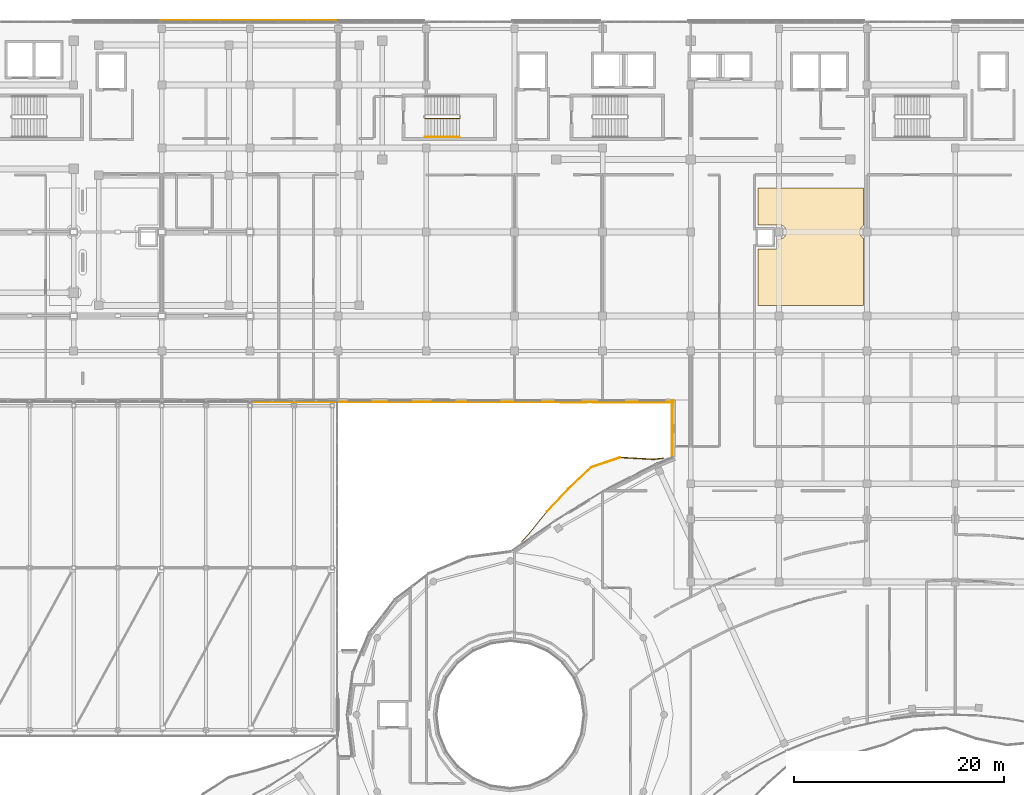
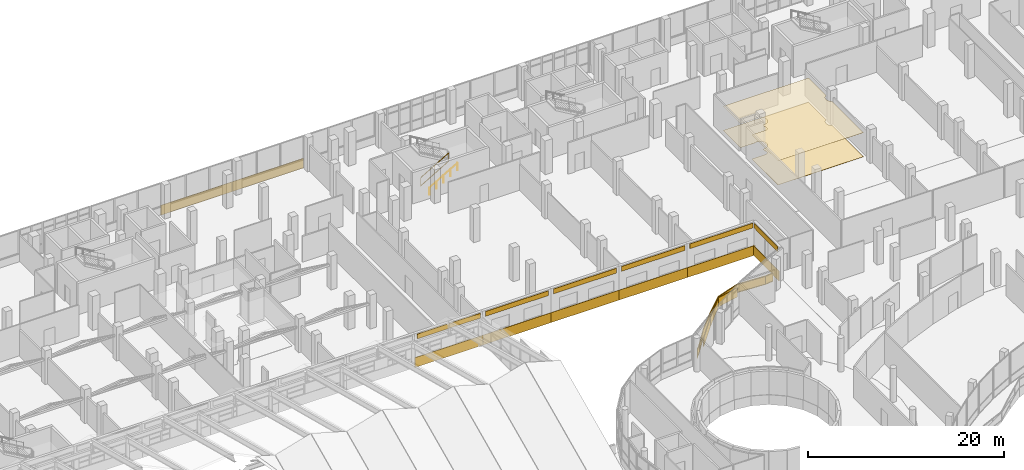
# One storey, part 181 of 184: 13 coverings, 6 shading devices, 4 railings.
"""IFC4 building model written with IfcOpenShell, lengths in metres."""

import ifcopenshell
import ifcopenshell.guid

model = None  # the IFC model being written
_history = None  # IfcOwnerHistory: only IFC2X3 demands one
_inside = {}  # id of a spatial element -> (the spatial element, [elements in it])
_under = {}  # id of a project, library or spatial element -> (it, [spatial elements below it])
_declared = {}  # id of a project -> (the project, [libraries it declares])
_typed = {}  # id of a type object -> (the type object, [elements of that type])
_made_of = {}  # id of a material, layer set ... -> (it, [elements and type objects made of it])


def new_model(schema):
    """Start an empty IFC model of exactly this schema.

    Asked for "IFC4X3", IfcOpenShell would pick the latest addendum, in which some entities
    have other attributes; the version numbers below select the first issue.
    IFC2X3 requires an IfcOwnerHistory on every rooted entity: one is made here for all.
    """
    global model, _history
    if schema == "IFC4X3":
        model = ifcopenshell.file(schema_version=(4, 3, 0, 0))
    else:
        model = ifcopenshell.file(schema=schema)
    _inside.clear()
    _under.clear()
    _declared.clear()
    _typed.clear()
    _made_of.clear()
    _history = None
    if model.schema == "IFC2X3":
        org = make("IfcOrganization", Name="unknown")
        user = make(
            "IfcPersonAndOrganization",
            ThePerson=make("IfcPerson", FamilyName="unknown"),
            TheOrganization=org,
        )
        app = make(
            "IfcApplication",
            ApplicationDeveloper=org,
            Version="unknown",
            ApplicationFullName="unknown",
            ApplicationIdentifier="unknown",
        )
        _history = make(
            "IfcOwnerHistory",
            OwningUser=user,
            OwningApplication=app,
            ChangeAction="ADDED",
            CreationDate=0,
        )
    return model


def make(cls, **values):
    """One entity of the class cls with the attributes given. An attribute that is None is left unset."""
    return model.create_entity(
        cls, **{name: value for name, value in values.items() if value is not None}
    )


def rooted(cls, **values):
    """An entity with a GlobalId (a new one), such as an element, a storey or a relation."""
    return make(cls, GlobalId=ifcopenshell.guid.new(), OwnerHistory=_history, **values)


def si_unit(unit_type, name, prefix=None):
    """IfcSIUnit, for example si_unit("LENGTHUNIT", "METRE", prefix="MILLI")."""
    return make("IfcSIUnit", UnitType=unit_type, Prefix=prefix, Name=name)


def assignment(units):
    """IfcUnitAssignment: the units of a project."""
    return None if units is None else make("IfcUnitAssignment", Units=units)


def point(xyz):
    """IfcCartesianPoint."""
    return None if xyz is None else make("IfcCartesianPoint", Coordinates=xyz)


def direction(xyz):
    """IfcDirection."""
    return None if xyz is None else make("IfcDirection", DirectionRatios=xyz)


def frame(location, z_axis=None, x_axis=None):
    """IfcAxis2Placement3D, a coordinate frame: its origin and axes. An axis left out is left unset."""
    return make(
        "IfcAxis2Placement3D",
        Location=point(location),
        Axis=direction(z_axis),
        RefDirection=direction(x_axis),
    )


def frame_2d(location, x_axis=None):
    """IfcAxis2Placement2D, a coordinate frame in the plane: its origin and x axis."""
    return make(
        "IfcAxis2Placement2D", Location=point(location), RefDirection=direction(x_axis)
    )


def origin():
    """The frame at (0, 0, 0) with its axes left unset."""
    return frame((0.0, 0.0, 0.0))


def origin_2d():
    """The frame at (0, 0) in the plane with its x axis left unset."""
    return frame_2d((0.0, 0.0))


def place(relative_to, where):
    """IfcLocalPlacement: puts the frame where relative to a parent placement (None: the world)."""
    return make(
        "IfcLocalPlacement", PlacementRelTo=relative_to, RelativePlacement=where
    )


def context(
    kind, dimensions, precision=None, world=None, true_north=None, identifier=None
):
    """IfcGeometricRepresentationContext, for example the 3D "Model" context."""
    return make(
        "IfcGeometricRepresentationContext",
        ContextIdentifier=identifier,
        ContextType=kind,
        CoordinateSpaceDimension=dimensions,
        Precision=precision,
        WorldCoordinateSystem=world,
        TrueNorth=true_north,
    )


def subcontext(parent, identifier, kind, view, scale=None):
    """IfcGeometricRepresentationSubContext, for example "Body" below "Model"."""
    return make(
        "IfcGeometricRepresentationSubContext",
        ContextIdentifier=identifier,
        ContextType=kind,
        ParentContext=parent,
        TargetScale=scale,
        TargetView=view,
    )


def project(units=None, contexts=None):
    """IfcProject with its units and contexts."""
    return rooted(
        "IfcProject",
        Name="project",
        RepresentationContexts=contexts,
        UnitsInContext=assignment(units),
    )


def spatial(cls, under=None, at=None, **own):
    """A site, building, storey or space (cls), placed at a placement, below another one or the project."""
    s = rooted(cls, ObjectPlacement=at, **own)
    if under is not None:
        _under.setdefault(under.id(), (under, []))[1].append(s)
    return s


def polyline(points):
    """IfcPolyline through the points."""
    return make("IfcPolyline", Points=[point(p) for p in points])


def profile(cls, at=None, kind="AREA", **sizes):
    """A parametric profile (cls). Its sizes go by their IFC names, for example OverallWidth=200.0."""
    return make(cls, ProfileType=kind, Position=at, **sizes)


def rectangle(**sizes):
    """IfcRectangleProfileDef."""
    return profile("IfcRectangleProfileDef", **sizes)


def circle(**sizes):
    """IfcCircleProfileDef."""
    return profile("IfcCircleProfileDef", **sizes)


def outline(outer, holes=None, kind="AREA"):
    """IfcArbitraryClosedProfileDef: a profile drawn as a closed curve; with holes, ...WithVoids."""
    if holes is None:
        return make("IfcArbitraryClosedProfileDef", ProfileType=kind, OuterCurve=outer)
    return make(
        "IfcArbitraryProfileDefWithVoids",
        ProfileType=kind,
        OuterCurve=outer,
        InnerCurves=holes,
    )


def extrude(swept, where, along, depth):
    """IfcExtrudedAreaSolid: the profile swept, set in the frame where, extruded along a direction by depth."""
    return make(
        "IfcExtrudedAreaSolid",
        SweptArea=swept,
        Position=where,
        ExtrudedDirection=direction(along),
        Depth=depth,
    )


def shape(context_of_items, identifier, shape_type, items):
    """IfcShapeRepresentation: the items that make up one representation, for example the "Body"."""
    return make(
        "IfcShapeRepresentation",
        ContextOfItems=context_of_items,
        RepresentationIdentifier=identifier,
        RepresentationType=shape_type,
        Items=items,
    )


def material(Name=None, Category=None):
    """IfcMaterial."""
    return make("IfcMaterial", Name=Name, Category=Category)


def layer(
    of_material, thickness, ventilated=None, Name=None, Category=None, Priority=None
):
    """IfcMaterialLayer: one layer of a wall or slab, of a material (None: an air gap)."""
    return make(
        "IfcMaterialLayer",
        Material=of_material,
        LayerThickness=thickness,
        IsVentilated=ventilated,
        Name=Name,
        Category=Category,
        Priority=Priority,
    )


def layer_set(layers, Name=None):
    """IfcMaterialLayerSet."""
    return make("IfcMaterialLayerSet", MaterialLayers=layers, LayerSetName=Name)


def made_of(thing, what):
    """Note that an element or type object is made of a material, layer set ...; save() writes the relation."""
    if what is not None:
        _made_of.setdefault(what.id(), (what, []))[1].append(thing)
    return thing


def type_object(cls, material=None, **own):
    """A type object (cls), such as IfcWallType, which elements share."""
    return made_of(rooted(cls, **own), material)


def element(
    cls,
    number,
    at=None,
    inside=None,
    cuts=None,
    type_object=None,
    material=None,
    context=None,
    identifier="Body",
    shape_type=None,
    held_by="IfcProductDefinitionShape",
    body=None,
    shapes=None,
    **own,
):
    """One element of the class cls, such as IfcWall. Its Tag is "e" and its number.

    at: its placement. inside: the storey or other place that contains it. cuts: it is an
    opening in that element (IfcRelVoidsElement). A single representation is given by context,
    identifier, shape_type and body (its items); several are given by shapes. held_by: the class
    of the entity that holds the representations. save() writes the other relations.
    """
    e = rooted(cls, Tag="e%d" % number, ObjectPlacement=at, **own)
    if body is not None:
        shapes = [shape(context, identifier, shape_type, body)]
    if shapes is not None:
        e.Representation = make(held_by, Representations=shapes)
    if inside is not None:
        _inside.setdefault(inside.id(), (inside, []))[1].append(e)
    if cuts is not None:
        rooted(
            "IfcRelVoidsElement", RelatingBuildingElement=cuts, RelatedOpeningElement=e
        )
    if type_object is not None:
        _typed.setdefault(type_object.id(), (type_object, []))[1].append(e)
    return made_of(e, material)


def aggregate(whole, parts):
    """IfcRelAggregates: a whole, such as a stair, and the parts it consists of."""
    return rooted("IfcRelAggregates", RelatingObject=whole, RelatedObjects=parts)


def save(model, path):
    """Write the relations noted so far, then the file.

    IfcRelAggregates (storeys below a building ...), IfcRelContainedInSpatialStructure (elements
    in a storey), IfcRelDefinesByType, IfcRelAssociatesMaterial and IfcRelDeclares: one each for
    every whole, place, type object, material and project.
    """
    for whole, parts in _under.values():
        aggregate(whole, parts)
    for where, things in _inside.values():
        rooted(
            "IfcRelContainedInSpatialStructure",
            RelatedElements=things,
            RelatingStructure=where,
        )
    for kind, things in _typed.values():
        rooted("IfcRelDefinesByType", RelatedObjects=things, RelatingType=kind)
    for what, things in _made_of.values():
        rooted("IfcRelAssociatesMaterial", RelatedObjects=things, RelatingMaterial=what)
    for by, libraries in _declared.values():
        rooted("IfcRelDeclares", RelatingContext=by, RelatedDefinitions=libraries)
    model.write(path)


model = new_model("IFC4")

# Units and contexts
model_context = context("Model", 3, precision=1e-05, world=origin(), true_north=direction((0.0, 1.0)))
body_context = subcontext(model_context, "Body", "Model", "MODEL_VIEW")
ifc_project = project(units=[si_unit("LENGTHUNIT", "METRE"), si_unit("AREAUNIT", "SQUARE_METRE"), si_unit("VOLUMEUNIT", "CUBIC_METRE"), si_unit("PLANEANGLEUNIT", "RADIAN"), si_unit("MASSUNIT", "GRAM", prefix="KILO")], contexts=[model_context])

# Site, building, storey
site_placement = place(None, origin())
site = spatial("IfcSite", under=ifc_project, at=site_placement, CompositionType="ELEMENT")
building_placement = place(site_placement, origin())
building = spatial("IfcBuilding", under=site, at=building_placement, Name="Selatvlak General Hospital", CompositionType="ELEMENT")
storey_placement = place(building_placement, frame((0.0, 0.0, 15.0)))
storey = spatial("IfcBuildingStorey", under=building, at=storey_placement, Name="L03", CompositionType="ELEMENT", Elevation=15.0)

# Coverings
ifc_material_1 = material(Name="Acoustic mineral fibre ceiling tile")
ifc_layer_1 = layer(ifc_material_1, 0.02490234375, Name="Acoustic mineral fibre ceiling tile")
ifc_layer_set_1 = layer_set([ifc_layer_1], Name="Acoustic mineral fibre ceiling tile")
covering_type_1 = type_object("IfcCoveringType", Name="COV-CEIL1", PredefinedType="CEILING", material=ifc_layer_set_1)
covering_1_placement = place(storey_placement, frame((0.0, 0.0, 2.9951171875)))
element("IfcCovering", 1, at=covering_1_placement, inside=storey, type_object=covering_type_1, Name="L03 clinical acoustic ceiling 008", PredefinedType="CEILING", context=body_context, shape_type="SweptSolid", body=[
    extrude(outline(polyline([(131.64990234375, 104.199951171875), (131.64990234375, 100.60498046875), (131.611083984375, 100.58203125), (131.555908203125, 100.541015625), (131.5048828125, 100.4951171875), (131.458984375, 100.444091796875), (131.41796875, 100.388916015625), (131.383056640625, 100.330078125), (131.35302734375, 100.26806640625), (131.330078125, 100.202880859375), (131.31298828125, 100.136962890625), (131.302978515625, 100.069091796875), (131.300048828125, 100.0), (131.302978515625, 99.930908203125), (131.31298828125, 99.863037109375), (131.330078125, 99.797119140625), (131.35302734375, 99.73193359375), (131.383056640625, 99.669921875), (131.41796875, 99.611083984375), (131.458984375, 99.555908203125), (131.5048828125, 99.5048828125), (131.555908203125, 99.458984375), (131.611083984375, 99.41796875), (131.64990234375, 99.39501953125), (131.64990234375, 93.0), (121.610107421875, 93.0), (121.610107421875, 98.35009765625), (123.199951171875, 98.35009765625), (123.23388671875, 98.35205078125), (123.26806640625, 98.35693359375), (123.302001953125, 98.364990234375), (123.333984375, 98.376953125), (123.364990234375, 98.39111328125), (123.39404296875, 98.408935546875), (123.422119140625, 98.428955078125), (123.447021484375, 98.452880859375), (123.470947265625, 98.47802734375), (123.490966796875, 98.506103515625), (123.509033203125, 98.534912109375), (123.52294921875, 98.56591796875), (123.534912109375, 98.597900390625), (123.54296875, 98.632080078125), (123.548095703125, 98.666015625), (123.550048828125, 98.699951171875), (123.548095703125, 98.73388671875), (123.54296875, 98.76806640625), (123.534912109375, 98.802001953125), (123.52294921875, 98.833984375), (123.509033203125, 98.864990234375), (123.490966796875, 98.89404296875), (123.470947265625, 98.922119140625), (123.449951171875, 98.945068359375), (123.449951171875, 99.31689453125), (123.531005859375, 99.302978515625), (123.60009765625, 99.300048828125), (123.6689453125, 99.302978515625), (123.737060546875, 99.31298828125), (123.802978515625, 99.330078125), (123.867919921875, 99.35302734375), (123.929931640625, 99.383056640625), (123.989013671875, 99.41796875), (124.0439453125, 99.458984375), (124.094970703125, 99.5048828125), (124.14111328125, 99.555908203125), (124.181884765625, 99.611083984375), (124.217041015625, 99.669921875), (124.2470703125, 99.73193359375), (124.27001953125, 99.797119140625), (124.287109375, 99.863037109375), (124.297119140625, 99.930908203125), (124.300048828125, 100.0), (124.297119140625, 100.069091796875), (124.287109375, 100.136962890625), (124.27001953125, 100.202880859375), (124.2470703125, 100.26806640625), (124.217041015625, 100.330078125), (124.181884765625, 100.388916015625), (124.14111328125, 100.444091796875), (124.094970703125, 100.4951171875), (124.0439453125, 100.541015625), (123.989013671875, 100.58203125), (123.929931640625, 100.616943359375), (123.867919921875, 100.64697265625), (123.802978515625, 100.669921875), (123.737060546875, 100.68701171875), (123.6689453125, 100.697021484375), (123.60009765625, 100.699951171875), (123.531005859375, 100.697021484375), (123.462890625, 100.68701171875), (123.39697265625, 100.669921875), (123.33203125, 100.64697265625), (123.304931640625, 100.634033203125), (123.26806640625, 100.64306640625), (123.23388671875, 100.64794921875), (123.199951171875, 100.64990234375), (121.610107421875, 100.64990234375), (121.610107421875, 104.199951171875), (131.64990234375, 104.199951171875)])), origin(), (0.0, 0.0, 1.0), 0.02490234375),
])
ifc_material_2 = material(Name="Homogeneous anti-static hospital vinyl flooring")
ifc_layer_2 = layer(ifc_material_2, 0.014892578125, Name="Homogeneous anti-static hospital vinyl flooring")
ifc_layer_set_2 = layer_set([ifc_layer_2], Name="Homogeneous anti-static hospital vinyl flooring")
covering_type_2 = type_object("IfcCoveringType", Name="COV-FLR1", PredefinedType="FLOORING", material=ifc_layer_set_2)
covering_2_placement = place(storey_placement, origin())
element("IfcCovering", 2, at=covering_2_placement, inside=storey, type_object=covering_type_2, Name="L03 seamless vinyl flooring 008", PredefinedType="FLOORING", context=body_context, shape_type="SweptSolid", body=[
    extrude(outline(polyline([(131.64990234375, 104.199951171875), (131.64990234375, 100.60498046875), (131.611083984375, 100.58203125), (131.555908203125, 100.541015625), (131.5048828125, 100.4951171875), (131.458984375, 100.444091796875), (131.41796875, 100.388916015625), (131.383056640625, 100.330078125), (131.35302734375, 100.26806640625), (131.330078125, 100.202880859375), (131.31298828125, 100.136962890625), (131.302978515625, 100.069091796875), (131.300048828125, 100.0), (131.302978515625, 99.930908203125), (131.31298828125, 99.863037109375), (131.330078125, 99.797119140625), (131.35302734375, 99.73193359375), (131.383056640625, 99.669921875), (131.41796875, 99.611083984375), (131.458984375, 99.555908203125), (131.5048828125, 99.5048828125), (131.555908203125, 99.458984375), (131.611083984375, 99.41796875), (131.64990234375, 99.39501953125), (131.64990234375, 93.0), (121.610107421875, 93.0), (121.610107421875, 98.35009765625), (123.199951171875, 98.35009765625), (123.23388671875, 98.35205078125), (123.26806640625, 98.35693359375), (123.302001953125, 98.364990234375), (123.333984375, 98.376953125), (123.364990234375, 98.39111328125), (123.39404296875, 98.408935546875), (123.422119140625, 98.428955078125), (123.447021484375, 98.452880859375), (123.470947265625, 98.47802734375), (123.490966796875, 98.506103515625), (123.509033203125, 98.534912109375), (123.52294921875, 98.56591796875), (123.534912109375, 98.597900390625), (123.54296875, 98.632080078125), (123.548095703125, 98.666015625), (123.550048828125, 98.699951171875), (123.548095703125, 98.73388671875), (123.54296875, 98.76806640625), (123.534912109375, 98.802001953125), (123.52294921875, 98.833984375), (123.509033203125, 98.864990234375), (123.490966796875, 98.89404296875), (123.470947265625, 98.922119140625), (123.449951171875, 98.945068359375), (123.449951171875, 99.31689453125), (123.531005859375, 99.302978515625), (123.60009765625, 99.300048828125), (123.6689453125, 99.302978515625), (123.737060546875, 99.31298828125), (123.802978515625, 99.330078125), (123.867919921875, 99.35302734375), (123.929931640625, 99.383056640625), (123.989013671875, 99.41796875), (124.0439453125, 99.458984375), (124.094970703125, 99.5048828125), (124.14111328125, 99.555908203125), (124.181884765625, 99.611083984375), (124.217041015625, 99.669921875), (124.2470703125, 99.73193359375), (124.27001953125, 99.797119140625), (124.287109375, 99.863037109375), (124.297119140625, 99.930908203125), (124.300048828125, 100.0), (124.297119140625, 100.069091796875), (124.287109375, 100.136962890625), (124.27001953125, 100.202880859375), (124.2470703125, 100.26806640625), (124.217041015625, 100.330078125), (124.181884765625, 100.388916015625), (124.14111328125, 100.444091796875), (124.094970703125, 100.4951171875), (124.0439453125, 100.541015625), (123.989013671875, 100.58203125), (123.929931640625, 100.616943359375), (123.867919921875, 100.64697265625), (123.802978515625, 100.669921875), (123.737060546875, 100.68701171875), (123.6689453125, 100.697021484375), (123.60009765625, 100.699951171875), (123.531005859375, 100.697021484375), (123.462890625, 100.68701171875), (123.39697265625, 100.669921875), (123.33203125, 100.64697265625), (123.304931640625, 100.634033203125), (123.26806640625, 100.64306640625), (123.23388671875, 100.64794921875), (123.199951171875, 100.64990234375), (121.610107421875, 100.64990234375), (121.610107421875, 104.199951171875), (131.64990234375, 104.199951171875)])), origin(), (0.0, 0.0, 1.0), 0.014892578125),
])
ifc_material_3 = material(Name="PVDF aluminium fascia - cobalt blue", Category="aluminium")
ifc_layer_3 = layer(ifc_material_3, 0.070068359375, Name="PVDF aluminium fascia - cobalt blue", Category="aluminium")
ifc_layer_set_3 = layer_set([ifc_layer_3], Name="PVDF aluminium fascia - cobalt blue")
covering_type_3 = type_object("IfcCoveringType", Name="COV-RB-BLU", PredefinedType="CLADDING", material=ifc_layer_set_3)
covering_3_placement = place(storey_placement, frame((108.449951171875, 78.5029296875, -0.47705078125), z_axis=(0.0, 0.0, 1.0), x_axis=(-0.946686055605, -0.322157588958, 0.0)))
element("IfcCovering", 3, at=covering_3_placement, inside=storey, type_object=covering_type_3, Name="L03 De Stijl waving fascia streamer 381", PredefinedType="CLADDING", context=body_context, shape_type="SweptSolid", body=[
    extrude(outline(polyline([(0.0, 0.0), (2.9365234375, 0.291015625), (2.9365234375, 1.430908203125), (0.0, 1.139892578125), (0.0, 0.0)])), frame((0.0, 0.03515625, 0.0), z_axis=(0.0, -1.0, 0.0), x_axis=(1.0, 0.0, 0.0)), (0.0, 0.0, 1.0), 0.070068359375),
])
covering_4_placement = place(storey_placement, frame((105.6708984375, 77.556884765625, -0.18603515625), z_axis=(0.0, 0.0, 1.0), x_axis=(-0.721123202653, -0.692806846528, 0.0)))
element("IfcCovering", 4, at=covering_4_placement, inside=storey, type_object=covering_type_3, Name="L03 De Stijl waving fascia streamer 382", PredefinedType="CLADDING", context=body_context, shape_type="SweptSolid", body=[
    extrude(outline(polyline([(0.0, 0.0), (2.974609375, -0.43603515625), (2.974609375, 0.703857421875), (0.0, 1.139892578125), (0.0, 0.0)])), frame((0.0, 0.03515625, 0.0), z_axis=(0.0, -1.0, 0.0), x_axis=(1.0, 0.0, 0.0)), (0.0, 0.0, 1.0), 0.070068359375),
])
covering_5_placement = place(storey_placement, frame((103.52587890625, 75.49609375, -0.6220703125), z_axis=(0.0, 0.0, 1.0), x_axis=(-0.687951581662, -0.725756585426, 0.0)))
element("IfcCovering", 5, at=covering_5_placement, inside=storey, type_object=covering_type_3, Name="L03 De Stijl waving fascia streamer 383", PredefinedType="CLADDING", context=body_context, shape_type="SweptSolid", body=[
    extrude(outline(polyline([(0.0, 0.0), (2.94482421875, -0.52197265625), (2.94482421875, 0.617919921875), (0.0, 1.139892578125), (0.0, 0.0)])), frame((0.0, 0.03515625, 0.0), z_axis=(0.0, -1.0, 0.0), x_axis=(1.0, 0.0, 0.0)), (0.0, 0.0, 1.0), 0.070068359375),
])
ifc_material_4 = material(Name="White Bauhaus fair-faced cladding panel")
ifc_layer_4 = layer(ifc_material_4, 0.054931640625, Name="White Bauhaus fair-faced cladding panel")
ifc_layer_set_4 = layer_set([ifc_layer_4], Name="White Bauhaus fair-faced cladding panel")
covering_type_4 = type_object("IfcCoveringType", Name="COV-WHT1", PredefinedType="CLADDING", material=ifc_layer_set_4)
for number, where, z_axis, x_axis, name in (
    (6, (68.8701171875, 120.1640625, -0.27978515625), (0.0, 0.0, 1.0), (1.0, 0.0, 0.0), "L03 Bauhaus horizontal white spandrel band 0227"),
    (7, (77.25, 120.1640625, -0.27978515625), (0.0, 0.0, 1.0), (1.0, 0.0, 0.0), "L03 Bauhaus horizontal white spandrel band 0228"),
):
    element("IfcCovering", number, at=place(storey_placement, frame(where, z_axis=z_axis, x_axis=x_axis)), inside=storey, type_object=covering_type_4, Name=name, PredefinedType="CLADDING", context=body_context, shape_type="SweptSolid", body=[
        extrude(rectangle(XDim=8.3798828125, YDim=0.054931640625, at=origin_2d()), origin(), (0.0, 0.0, 1.0), 1.219970703125),
    ])
covering_6_placement = place(storey_placement, frame((113.4169921875, 81.2470703125, -0.27978515625), z_axis=(0.0, 0.0, 1.0), x_axis=(0.006859090176, 0.999976476164, 0.0)))
element("IfcCovering", 8, at=covering_6_placement, inside=storey, type_object=covering_type_4, Name="L03 Bauhaus horizontal white spandrel band 0256", PredefinedType="CLADDING", context=body_context, shape_type="SweptSolid", body=[
    extrude(rectangle(XDim=5.387939453125, YDim=0.054931640625, at=origin_2d()), origin(), (0.0, 0.0, 1.0), 1.219970703125),
])
for number, where, z_axis, x_axis, name in (
    (9, (109.595947265625, 83.778076171875, -0.27978515625), (0.0, 0.0, 1.0), (-0.999999802608, 0.000628318489, 0.0), "L03 Bauhaus horizontal white spandrel band 0257"),
    (10, (101.587890625, 83.782958984375, -0.27978515625), (0.0, 0.0, 1.0), (-0.999999718381, 0.000750491508, 0.0), "L03 Bauhaus horizontal white spandrel band 0258"),
    (11, (93.580078125, 83.7890625, -0.27978515625), (0.0, 0.0, 1.0), (-0.999999802608, 0.000628318489, 0.0), "L03 Bauhaus horizontal white spandrel band 0259"),
    (12, (85.572021484375, 83.7939453125, -0.27978515625), (0.0, 0.0, 1.0), (-0.999999802608, 0.000628318489, 0.0), "L03 Bauhaus horizontal white spandrel band 0260"),
    (13, (77.56396484375, 83.799072265625, -0.27978515625), (0.0, 0.0, 1.0), (-0.999999802608, 0.000628318489, 0.0), "L03 Bauhaus horizontal white spandrel band 0261"),
):
    element("IfcCovering", number, at=place(storey_placement, frame(where, z_axis=z_axis, x_axis=x_axis)), inside=storey, type_object=covering_type_4, Name=name, PredefinedType="CLADDING", context=body_context, shape_type="SweptSolid", body=[
        extrude(rectangle(XDim=8.008056640625, YDim=0.054931640625, at=origin_2d()), origin(), (0.0, 0.0, 1.0), 1.219970703125),
    ])

# Railings
ifc_material_5 = material(Name="Stainless steel 316 safety balustrade", Category="steel")
railing_type_1 = type_object("IfcRailingType", Name="RAIL-BAL1", PredefinedType="BALUSTRADE", material=ifc_material_5)
railing_1_placement = place(storey_placement, frame((105.6630859375, 77.570068359375, 0.0)))
element("IfcRailing", 14, at=railing_1_placement, inside=storey, type_object=railing_type_1, Name="L03 continuous curved balcony balustrade 0025", PredefinedType="BALUSTRADE", context=body_context, shape_type="SweptSolid", body=[
    extrude(rectangle(XDim=0.068115234375, YDim=0.068115234375, at=origin_2d()), frame((0.002685546875, 0.0009765625, 1.0859375), z_axis=(0.946686055605, 0.322157588958, 0.0), x_axis=(-0.322157588958, 0.946686055605, 0.0)), (0.0, 0.0, 1.0), 2.9306640625),
    extrude(rectangle(XDim=0.068115234375, YDim=0.068115234375, at=origin_2d()), frame((0.002685546875, 0.0009765625, 0.049072265625), z_axis=(0.946686055605, 0.322157588958, 0.0), x_axis=(-0.322157588958, 0.946686055605, 0.0)), (0.0, 0.0, 1.0), 2.9306640625),
    extrude(outline(polyline([(0.0, 0.0), (2.924560546875, 0.0), (2.924560546875, 0.94189453125), (0.0, 0.94189453125), (0.0, 0.0)])), frame((0.0, 0.01904296875, 0.0849609375), z_axis=(0.322157588958, -0.946686055605, 0.0), x_axis=(0.946686055605, 0.322157588958, 0.0)), (0.0, 0.0, 1.0), 0.031982421875),
    extrude(rectangle(XDim=0.068115234375, YDim=0.068115234375, at=origin_2d()), frame((2.782958984375, 0.94580078125, 1.0859375), z_axis=(0.998420452717, -0.056183623915, 0.0), x_axis=(0.056183623915, 0.998420452717, 0.0)), (0.0, 0.0, 1.0), 3.253173828125),
    extrude(rectangle(XDim=0.068115234375, YDim=0.068115234375, at=origin_2d()), frame((2.782958984375, 0.94580078125, 0.049072265625), z_axis=(0.998420452717, -0.056183623915, 0.0), x_axis=(0.056183623915, 0.998420452717, 0.0)), (0.0, 0.0, 1.0), 3.253173828125),
    extrude(outline(polyline([(0.0, 0.0), (3.2470703125, 0.0), (3.2470703125, 0.94189453125), (0.0, 0.94189453125), (0.0, 0.0)])), frame((2.787109375, 0.963623046875, 0.0849609375), z_axis=(-0.056183623915, -0.998420452717, 0.0), x_axis=(0.998420452717, -0.056183623915, 0.0)), (0.0, 0.0, 1.0), 0.031982421875),
    extrude(rectangle(XDim=0.068115234375, YDim=0.068115234375, at=origin_2d()), frame((6.036865234375, 0.76318359375, 1.0859375), z_axis=(0.992475585748, 0.122442687382, 0.0), x_axis=(-0.122442687382, 0.992475585748, 0.0)), (0.0, 0.0, 1.0), 0.843505859375),
    extrude(rectangle(XDim=0.068115234375, YDim=0.068115234375, at=origin_2d()), frame((6.036865234375, 0.76318359375, 0.049072265625), z_axis=(0.992475585748, 0.122442687382, 0.0), x_axis=(-0.122442687382, 0.992475585748, 0.0)), (0.0, 0.0, 1.0), 0.843505859375),
    extrude(outline(polyline([(0.0, 0.0), (0.83740234375, 0.0), (0.83740234375, 0.94189453125), (0.0, 0.94189453125), (0.0, 0.0)])), frame((6.03759765625, 0.781494140625, 0.0849609375), z_axis=(0.122442687382, -0.992475585748, 0.0), x_axis=(0.992475585748, 0.122442687382, 0.0)), (0.0, 0.0, 1.0), 0.031982421875),
    extrude(rectangle(XDim=0.055908203125, YDim=0.055908203125, at=origin_2d()), origin(), (0.0, 0.0, 1.0), 1.049072265625),
    extrude(rectangle(XDim=0.055908203125, YDim=0.055908203125, at=origin_2d()), frame((1.39013671875, 0.47314453125, 0.0)), (0.0, 0.0, 1.0), 1.049072265625),
    extrude(rectangle(XDim=0.055908203125, YDim=0.055908203125, at=origin_2d()), frame((2.780029296875, 0.946044921875, 0.0)), (0.0, 0.0, 1.0), 1.049072265625),
    extrude(rectangle(XDim=0.055908203125, YDim=0.055908203125, at=origin_2d()), frame((4.406982421875, 0.8544921875, 0.0)), (0.0, 0.0, 1.0), 1.049072265625),
    extrude(rectangle(XDim=0.055908203125, YDim=0.055908203125, at=origin_2d()), frame((6.033935546875, 0.762939453125, 0.0)), (0.0, 0.0, 1.0), 1.049072265625),
    extrude(rectangle(XDim=0.055908203125, YDim=0.055908203125, at=origin_2d()), frame((6.876953125, 0.866943359375, 0.0)), (0.0, 0.0, 1.0), 1.049072265625),
])
railing_2_placement = place(storey_placement, frame((99.094970703125, 70.47802734375, 0.0)))
element("IfcRailing", 15, at=railing_2_placement, inside=storey, type_object=railing_type_1, Name="L03 continuous curved balcony balustrade 0026", PredefinedType="BALUSTRADE", context=body_context, shape_type="SweptSolid", body=[
    extrude(rectangle(XDim=0.068115234375, YDim=0.068115234375, at=origin_2d()), frame((0.001953125, 0.002197265625, 1.0859375), z_axis=(0.66205033168, 0.749459377366, 0.0), x_axis=(-0.749459377366, 0.66205033168, 0.0)), (0.0, 0.0, 1.0), 1.16162109375),
    extrude(rectangle(XDim=0.068115234375, YDim=0.068115234375, at=origin_2d()), frame((0.001953125, 0.002197265625, 0.049072265625), z_axis=(0.66205033168, 0.749459377366, 0.0), x_axis=(-0.749459377366, 0.66205033168, 0.0)), (0.0, 0.0, 1.0), 1.16162109375),
    extrude(outline(polyline([(0.0, 0.0), (1.155517578125, 0.0), (1.155517578125, 0.94189453125), (0.0, 0.94189453125), (0.0, 0.0)])), frame((-0.009521484375, 0.016357421875, 0.0849609375), z_axis=(0.749459377366, -0.66205033168, 0.0), x_axis=(0.66205033168, 0.749459377366, 0.0)), (0.0, 0.0, 1.0), 0.031982421875),
    extrude(rectangle(XDim=0.068115234375, YDim=0.068115234375, at=origin_2d()), frame((0.77490234375, 0.877197265625, 1.0859375), z_axis=(0.626761132152, 0.779211449623, 0.0), x_axis=(-0.779211449623, 0.626761132152, 0.0)), (0.0, 0.0, 1.0), 2.585205078125),
    extrude(rectangle(XDim=0.068115234375, YDim=0.068115234375, at=origin_2d()), frame((0.77490234375, 0.877197265625, 0.049072265625), z_axis=(0.626761132152, 0.779211449623, 0.0), x_axis=(-0.779211449623, 0.626761132152, 0.0)), (0.0, 0.0, 1.0), 2.585205078125),
    extrude(outline(polyline([(0.0, 0.0), (2.5791015625, 0.0), (2.5791015625, 0.94189453125), (0.0, 0.94189453125), (0.0, 0.0)])), frame((0.7626953125, 0.890869140625, 0.0849609375), z_axis=(0.779211449623, -0.626761132152, 0.0), x_axis=(0.626761132152, 0.779211449623, 0.0)), (0.0, 0.0, 1.0), 0.031982421875),
    extrude(rectangle(XDim=0.068115234375, YDim=0.068115234375, at=origin_2d()), frame((2.39892578125, 2.896240234375, 1.0859375), z_axis=(0.688036639125, 0.725675949182, 0.0), x_axis=(-0.725675949182, 0.688036639125, 0.0)), (0.0, 0.0, 1.0), 2.93896484375),
    extrude(rectangle(XDim=0.068115234375, YDim=0.068115234375, at=origin_2d()), frame((2.39892578125, 2.896240234375, 0.049072265625), z_axis=(0.688036639125, 0.725675949182, 0.0), x_axis=(-0.725675949182, 0.688036639125, 0.0)), (0.0, 0.0, 1.0), 2.93896484375),
    extrude(outline(polyline([(0.0, 0.0), (2.932861328125, 0.0), (2.932861328125, 0.94189453125), (0.0, 0.94189453125), (0.0, 0.0)])), frame((2.387939453125, 2.910888671875, 0.0849609375), z_axis=(0.725675949182, -0.688036639125, 0.0), x_axis=(0.688036639125, 0.725675949182, 0.0)), (0.0, 0.0, 1.0), 0.031982421875),
    extrude(rectangle(XDim=0.068115234375, YDim=0.068115234375, at=origin_2d()), frame((4.42529296875, 5.032958984375, 1.0859375), z_axis=(0.721082198429, 0.692849524145, 0.0), x_axis=(-0.692849524145, 0.721082198429, 0.0)), (0.0, 0.0, 1.0), 2.96875),
    extrude(rectangle(XDim=0.068115234375, YDim=0.068115234375, at=origin_2d()), frame((4.42529296875, 5.032958984375, 0.049072265625), z_axis=(0.721082198429, 0.692849524145, 0.0), x_axis=(-0.692849524145, 0.721082198429, 0.0)), (0.0, 0.0, 1.0), 2.96875),
    extrude(outline(polyline([(0.0, 0.0), (2.962646484375, 0.0), (2.962646484375, 0.94189453125), (0.0, 0.94189453125), (0.0, 0.0)])), frame((4.4150390625, 5.048095703125, 0.0849609375), z_axis=(0.692849524145, -0.721082198429, 0.0), x_axis=(0.721082198429, 0.692849524145, 0.0)), (0.0, 0.0, 1.0), 0.031982421875),
    extrude(rectangle(XDim=0.055908203125, YDim=0.055908203125, at=origin_2d()), origin(), (0.0, 0.0, 1.0), 1.049072265625),
    extrude(rectangle(XDim=0.055908203125, YDim=0.055908203125, at=origin_2d()), frame((0.77294921875, 0.875, 0.0)), (0.0, 0.0, 1.0), 1.049072265625),
    extrude(rectangle(XDim=0.055908203125, YDim=0.055908203125, at=origin_2d()), frame((1.5849609375, 1.884521484375, 0.0)), (0.0, 0.0, 1.0), 1.049072265625),
    extrude(rectangle(XDim=0.055908203125, YDim=0.055908203125, at=origin_2d()), frame((2.39697265625, 2.89404296875, 0.0)), (0.0, 0.0, 1.0), 1.049072265625),
    extrude(rectangle(XDim=0.055908203125, YDim=0.055908203125, at=origin_2d()), frame((3.41015625, 3.96240234375, 0.0)), (0.0, 0.0, 1.0), 1.049072265625),
    extrude(rectangle(XDim=0.055908203125, YDim=0.055908203125, at=origin_2d()), frame((4.423095703125, 5.031005859375, 0.0)), (0.0, 0.0, 1.0), 1.049072265625),
    extrude(rectangle(XDim=0.055908203125, YDim=0.055908203125, at=origin_2d()), frame((5.49560546875, 6.0615234375, 0.0)), (0.0, 0.0, 1.0), 1.049072265625),
    extrude(rectangle(XDim=0.055908203125, YDim=0.055908203125, at=origin_2d()), frame((6.568115234375, 7.092041015625, 0.0)), (0.0, 0.0, 1.0), 1.049072265625),
])
ifc_material_6 = material(Name="Stainless steel 316 stair guard", Category="steel")
railing_type_2 = type_object("IfcRailingType", Name="RAIL-STG", PredefinedType="GUARDRAIL", material=ifc_material_6)
railing_3_placement = place(storey_placement, frame((89.860107421875, 110.81005859375, 0.175048828125)))
element("IfcRailing", 16, at=railing_3_placement, inside=storey, type_object=railing_type_2, Name="L03 ST-02 stair guard 1", PredefinedType="GUARDRAIL", context=body_context, shape_type="SweptSolid", body=[
    extrude(rectangle(XDim=0.068115234375, YDim=0.068115234375, at=origin_2d()), frame((0.00244140625, 0.0, 1.067626953125), z_axis=(0.863760357493, 0.0, 0.503902812876), x_axis=(0.0, 1.0, 0.0)), (0.0, 0.0, 1.0), 3.814453125),
    extrude(rectangle(XDim=0.068115234375, YDim=0.068115234375, at=origin_2d()), frame((0.00244140625, 0.0, 0.050537109375), z_axis=(0.863760357493, 0.0, 0.503902812876), x_axis=(0.0, 1.0, 0.0)), (0.0, 0.0, 1.0), 3.814453125),
    extrude(rectangle(XDim=0.055908203125, YDim=0.055908203125, at=origin_2d()), origin(), (0.0, 0.0, 1.0), 1.029052734375),
    extrude(rectangle(XDim=0.055908203125, YDim=0.055908203125, at=origin_2d()), frame((1.64990234375, 0.0, 0.96240234375)), (0.0, 0.0, 1.0), 1.029052734375),
    extrude(rectangle(XDim=0.055908203125, YDim=0.055908203125, at=origin_2d()), frame((3.2998046875, 0.0, 1.925048828125)), (0.0, 0.0, 1.0), 1.029052734375),
])
ifc_material_7 = material(Name="Stainless steel 316 handrail", Category="steel")
railing_type_3 = type_object("IfcRailingType", Name="RAIL-STH", PredefinedType="HANDRAIL", material=ifc_material_7)
railing_4_placement = place(storey_placement, frame((89.860107421875, 109.050048828125, 0.175048828125)))
element("IfcRailing", 17, at=railing_4_placement, inside=storey, type_object=railing_type_3, Name="L03 ST-02 stair handrail 1", PredefinedType="HANDRAIL", context=body_context, shape_type="SweptSolid", body=[
    extrude(circle(Radius=0.02392578125, at=origin_2d()), frame((0.00244140625, 0.0, 0.87744140625), z_axis=(0.863760357493, 0.0, 0.503902812876), x_axis=(0.0, 1.0, 0.0)), (0.0, 0.0, 1.0), 3.814453125),
    extrude(circle(Radius=0.02099609375, at=origin_2d()), origin(), (0.0, 0.0, 1.0), 0.848876953125),
    extrude(circle(Radius=0.02099609375, at=origin_2d()), frame((0.824951171875, 0.0, 0.481201171875)), (0.0, 0.0, 1.0), 0.848876953125),
    extrude(circle(Radius=0.02099609375, at=origin_2d()), frame((1.64990234375, 0.0, 0.96240234375)), (0.0, 0.0, 1.0), 0.848876953125),
    extrude(circle(Radius=0.02099609375, at=origin_2d()), frame((2.474853515625, 0.0, 1.44384765625)), (0.0, 0.0, 1.0), 0.848876953125),
    extrude(circle(Radius=0.02099609375, at=origin_2d()), frame((3.2998046875, 0.0, 1.925048828125)), (0.0, 0.0, 1.0), 0.848876953125),
])

# Shading devices
ifc_material_8 = material(Name="Anodised aluminium acoustic louvre", Category="aluminium")
ifc_layer_5 = layer(ifc_material_8, 0.050048828125, Name="Anodised aluminium acoustic louvre", Category="aluminium")
ifc_layer_set_5 = layer_set([ifc_layer_5], Name="Anodised aluminium acoustic louvre")
shading_device_type = type_object("IfcShadingDeviceType", Name="SHD-JAL1", PredefinedType="JALOUSIE", material=ifc_layer_set_5)
shading_device_placement = place(storey_placement, frame((113.406982421875, 81.2470703125, 3.195068359375), z_axis=(0.0, 0.0, 1.0), x_axis=(0.006859090176, 0.999976476164, 0.0)))
element("IfcShadingDevice", 18, at=shading_device_placement, inside=storey, type_object=shading_device_type, Name="L03 interstitial acoustic louvre 388", PredefinedType="JALOUSIE", context=body_context, shape_type="SweptSolid", body=[
    extrude(rectangle(XDim=4.7880859375, YDim=0.050048828125, at=origin_2d()), origin(), (0.0, 0.0, 1.0), 0.60009765625),
])
for number, where, z_axis, x_axis, name in (
    (19, (109.595947265625, 83.76806640625, 3.195068359375), (0.0, 0.0, 1.0), (-0.999999802608, 0.000628318489, 0.0), "L03 interstitial acoustic louvre 389"),
    (20, (101.587890625, 83.77294921875, 3.195068359375), (0.0, 0.0, 1.0), (-0.999999718381, 0.000750491508, 0.0), "L03 interstitial acoustic louvre 390"),
    (21, (93.580078125, 83.779052734375, 3.195068359375), (0.0, 0.0, 1.0), (-0.999999802608, 0.000628318489, 0.0), "L03 interstitial acoustic louvre 391"),
    (22, (85.572021484375, 83.783935546875, 3.195068359375), (0.0, 0.0, 1.0), (-0.999999802608, 0.000628318489, 0.0), "L03 interstitial acoustic louvre 392"),
    (23, (77.56396484375, 83.7890625, 3.195068359375), (0.0, 0.0, 1.0), (-0.999999802608, 0.000628318489, 0.0), "L03 interstitial acoustic louvre 393"),
):
    element("IfcShadingDevice", number, at=place(storey_placement, frame(where, z_axis=z_axis, x_axis=x_axis)), inside=storey, type_object=shading_device_type, Name=name, PredefinedType="JALOUSIE", context=body_context, shape_type="SweptSolid", body=[
        extrude(rectangle(XDim=7.407958984375, YDim=0.050048828125, at=origin_2d()), origin(), (0.0, 0.0, 1.0), 0.60009765625),
    ])

save(model, "model.ifc")
